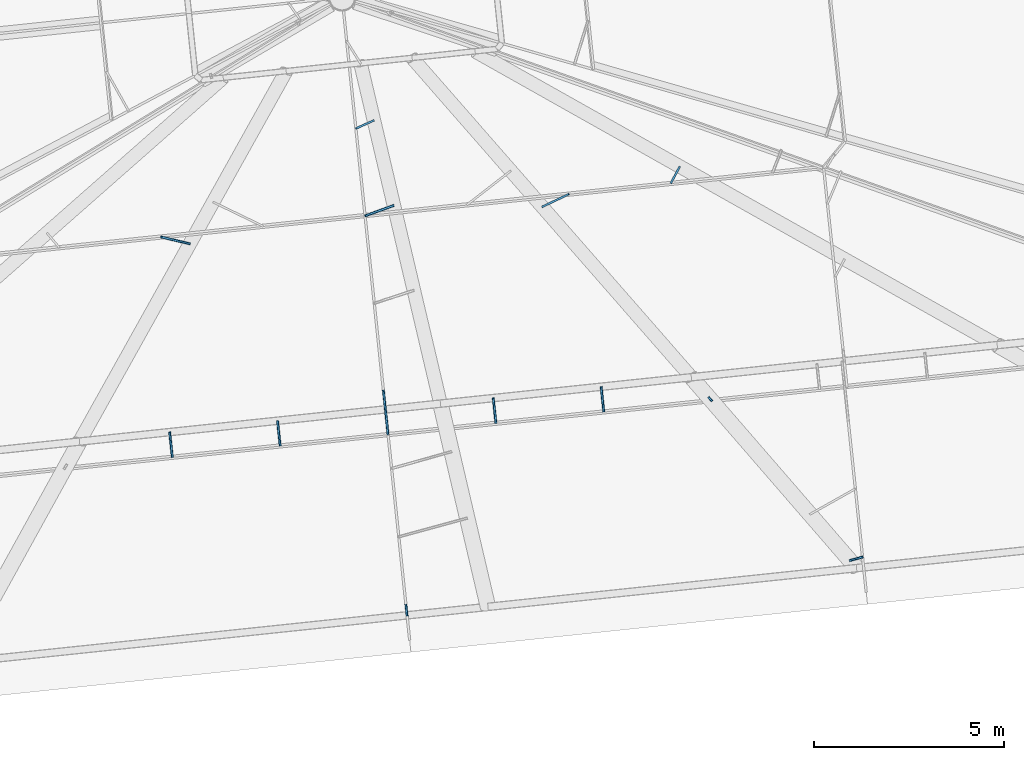
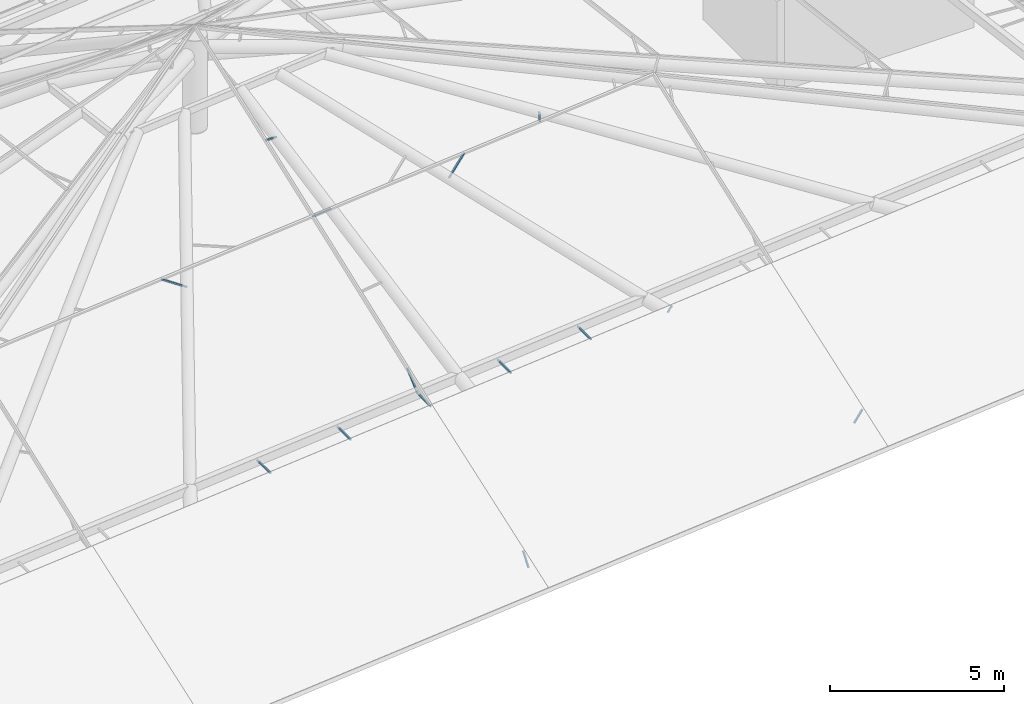
# One storey, part 13 of 20: 14 discrete accessories.
"""IFC4 building model written with IfcOpenShell, lengths in metres."""

from ifc_helpers import new_model, si_unit, direction, frame, origin, origin_2d, place, context, subcontext, project, spatial, rectangle, extrude, material, material_profile, profile_set, type_object, element, save


model = new_model("IFC4")

# Units and contexts
model_context = context("Model", 3, precision=1e-05, world=origin(), true_north=direction((0.0, 1.0)))
body_context = subcontext(model_context, "Body", "Model", "MODEL_VIEW")
ifc_project = project(units=[si_unit("LENGTHUNIT", "METRE"), si_unit("AREAUNIT", "SQUARE_METRE"), si_unit("VOLUMEUNIT", "CUBIC_METRE"), si_unit("PLANEANGLEUNIT", "RADIAN"), si_unit("MASSUNIT", "GRAM", prefix="KILO")], contexts=[model_context])

# Site, building, storey
site_placement = place(None, origin())
site = spatial("IfcSite", under=ifc_project, at=site_placement, CompositionType="ELEMENT")
building_placement = place(site_placement, origin())
building = spatial("IfcBuilding", under=site, at=building_placement, Name="Hakoniwa Tower and Hamabe Station Hall", CompositionType="ELEMENT")
storey_placement = place(building_placement, frame((0.0, 0.0, 285.0)))
storey = spatial("IfcBuildingStorey", under=building, at=storey_placement, Name="Roof", CompositionType="ELEMENT", Elevation=285.0)

# Discrete accessories
ifc_material = material(Name="Stainless steel SUS304", Category="steel")
ifc_material_profile = material_profile(ifc_material, rectangle(XDim=0.050048828125, YDim=0.050048828125, at=origin_2d()), Name="CW-4 GLAZING BRACKET 50X50")
ifc_profile_set = profile_set([ifc_material_profile], Name="Stainless steel SUS304")
discrete_accessory_type = type_object("IfcDiscreteAccessoryType", Name="CW-4 GLAZING BRACKET 50X50", PredefinedType="BRACKET", material=ifc_profile_set)
discrete_accessory_1_placement = place(storey_placement, frame((0.362060546875, -0.944580078125, 7.865478515625), z_axis=(0.865365908469, 0.39184696629, -0.312406465151), x_axis=(-0.412492841343, 0.910960842101, 0.0)))
element("IfcDiscreteAccessory", 1, at=discrete_accessory_1_placement, inside=storey, type_object=discrete_accessory_type, Name="Glazing bracket", PredefinedType="BRACKET", context=body_context, shape_type="SweptSolid", body=[
    extrude(rectangle(XDim=0.050048828125, YDim=0.050048828125, at=origin_2d()), origin(), (0.0, 0.0, 1.0), 0.547119140625),
])
discrete_accessory_2_placement = place(storey_placement, frame((0.603515625, -3.2412109375, 6.51025390625), z_axis=(0.919967499166, 0.337123573888, -0.200018740141), x_axis=(-0.344076650195, 0.938941563033, 0.0)))
element("IfcDiscreteAccessory", 2, at=discrete_accessory_2_placement, inside=storey, type_object=discrete_accessory_type, Name="Glazing bracket", PredefinedType="BRACKET", context=body_context, shape_type="SweptSolid", body=[
    extrude(rectangle(XDim=0.050048828125, YDim=0.050048828125, at=origin_2d()), origin(), (0.0, 0.0, 1.0), 0.82275390625),
])
discrete_accessory_3_placement = place(storey_placement, frame((1.086181640625, -7.833984375, 3.7998046875), z_axis=(0.066296125931, -0.632169693714, -0.771988537503), x_axis=(0.994546006011, 0.10429881077, 0.0)))
element("IfcDiscreteAccessory", 3, at=discrete_accessory_3_placement, inside=storey, type_object=discrete_accessory_type, Name="Glazing bracket", PredefinedType="BRACKET", context=body_context, shape_type="SweptSolid", body=[
    extrude(rectangle(XDim=0.050048828125, YDim=0.050048828125, at=origin_2d()), origin(), (0.0, 0.0, 1.0), 0.777099609375),
])
discrete_accessory_4_placement = place(storey_placement, frame((1.677978515625, -13.4658203125, 0.595458984375), z_axis=(0.054691924927, -0.51887210828, -0.853100538388), x_axis=(0.994490715338, 0.104824697022, 0.0)))
element("IfcDiscreteAccessory", 4, at=discrete_accessory_4_placement, inside=storey, type_object=discrete_accessory_type, Name="Glazing bracket", PredefinedType="BRACKET", context=body_context, shape_type="SweptSolid", body=[
    extrude(rectangle(XDim=0.050048828125, YDim=0.050048828125, at=origin_2d()), origin(), (0.0, 0.0, 1.0), 0.522216796875),
])
discrete_accessory_5_placement = place(storey_placement, frame((13.67529296875, -12.204833984375, 0.595458984375), z_axis=(-0.70186774975, -0.190617957128, -0.686328242375), x_axis=(0.262092772732, -0.965042682207, 0.0)))
element("IfcDiscreteAccessory", 5, at=discrete_accessory_5_placement, inside=storey, type_object=discrete_accessory_type, Name="Glazing bracket", PredefinedType="BRACKET", context=body_context, shape_type="SweptSolid", body=[
    extrude(rectangle(XDim=0.050048828125, YDim=0.050048828125, at=origin_2d()), origin(), (0.0, 0.0, 1.0), 0.471435546875),
])
discrete_accessory_6_placement = place(storey_placement, frame((-4.75244140625, -3.79443359375, 6.5146484375), z_axis=(0.848689075548, -0.203067347075, -0.488354897178), x_axis=(0.232703242011, 0.972547788624, 0.0)))
element("IfcDiscreteAccessory", 6, at=discrete_accessory_6_placement, inside=storey, type_object=discrete_accessory_type, Name="Glazing bracket", PredefinedType="BRACKET", context=body_context, shape_type="SweptSolid", body=[
    extrude(rectangle(XDim=0.050048828125, YDim=0.050048828125, at=origin_2d()), origin(), (0.0, 0.0, 1.0), 0.884765625),
])
discrete_accessory_7_placement = place(storey_placement, frame((5.95751953125, -2.6689453125, 6.5146484375), z_axis=(-0.788195935392, -0.374924142877, -0.488035915194), x_axis=(0.42955319417, -0.903041556839, 0.0)))
element("IfcDiscreteAccessory", 7, at=discrete_accessory_7_placement, inside=storey, type_object=discrete_accessory_type, Name="Glazing bracket", PredefinedType="BRACKET", context=body_context, shape_type="SweptSolid", body=[
    extrude(rectangle(XDim=0.050048828125, YDim=0.050048828125, at=origin_2d()), origin(), (0.0, 0.0, 1.0), 0.885009765625),
])
discrete_accessory_8_placement = place(storey_placement, frame((8.635009765625, -2.387451171875, 6.5146484375), z_axis=(0.470639394256, 0.880100484448, -0.062623460853), x_axis=(-0.881831321067, 0.47156497027, 0.0)))
element("IfcDiscreteAccessory", 8, at=discrete_accessory_8_placement, inside=storey, type_object=discrete_accessory_type, Name="Glazing bracket", PredefinedType="BRACKET", context=body_context, shape_type="SweptSolid", body=[
    extrude(rectangle(XDim=0.050048828125, YDim=0.050048828125, at=origin_2d()), origin(), (0.0, 0.0, 1.0), 0.5068359375),
])
discrete_accessory_9_placement = place(storey_placement, frame((-4.4619140625, -9.582763671875, 3.106689453125), z_axis=(-0.103576467532, 0.984885007061, 0.138828809113), x_axis=(-0.994515502578, -0.104589268721, 0.0)))
element("IfcDiscreteAccessory", 9, at=discrete_accessory_9_placement, inside=storey, type_object=discrete_accessory_type, Name="Glazing bracket", PredefinedType="BRACKET", context=body_context, shape_type="SweptSolid", body=[
    extrude(rectangle(XDim=0.050048828125, YDim=0.050048828125, at=origin_2d()), origin(), (0.0, 0.0, 1.0), 0.671875),
])
for number, where, z_axis, x_axis, name in (
    (10, (-1.62744140625, -9.284912109375, 3.106689453125), (-0.103539407155, 0.984895904549, 0.138779135204), (-0.994519514743, -0.104551110919, 0.0), "Glazing bracket"),
    (11, (1.207275390625, -8.987060546875, 3.106689453125), (-0.103539407155, 0.984895904549, 0.138779135204), (-0.994519514743, -0.104551110919, 0.0), "Glazing bracket"),
):
    element("IfcDiscreteAccessory", number, at=place(storey_placement, frame(where, z_axis=z_axis, x_axis=x_axis)), inside=storey, type_object=discrete_accessory_type, Name=name, PredefinedType="BRACKET", context=body_context, shape_type="SweptSolid", body=[
        extrude(rectangle(XDim=0.050048828125, YDim=0.050048828125, at=origin_2d()), origin(), (0.0, 0.0, 1.0), 0.672119140625),
    ])
discrete_accessory_10_placement = place(storey_placement, frame((4.041748046875, -8.68896484375, 3.106689453125), z_axis=(-0.10321691992, 0.984922017544, 0.138834026089), x_axis=(-0.994553609452, -0.104226282319, 0.0)))
element("IfcDiscreteAccessory", 12, at=discrete_accessory_10_placement, inside=storey, type_object=discrete_accessory_type, Name="Glazing bracket", PredefinedType="BRACKET", context=body_context, shape_type="SweptSolid", body=[
    extrude(rectangle(XDim=0.050048828125, YDim=0.050048828125, at=origin_2d()), origin(), (0.0, 0.0, 1.0), 0.671630859375),
])
discrete_accessory_11_placement = place(storey_placement, frame((6.87646484375, -8.39111328125, 3.106689453125), z_axis=(-0.103539407155, 0.984895904549, 0.138779135204), x_axis=(-0.994519514743, -0.104551110919, 0.0)))
element("IfcDiscreteAccessory", 13, at=discrete_accessory_11_placement, inside=storey, type_object=discrete_accessory_type, Name="Glazing bracket", PredefinedType="BRACKET", context=body_context, shape_type="SweptSolid", body=[
    extrude(rectangle(XDim=0.050048828125, YDim=0.050048828125, at=origin_2d()), origin(), (0.0, 0.0, 1.0), 0.672119140625),
])
discrete_accessory_12_placement = place(storey_placement, frame((9.711181640625, -8.093017578125, 3.106689453125), z_axis=(-0.284316641704, 0.306334428772, -0.908473040326), x_axis=(-0.732956628714, -0.680275371025, 0.0)))
element("IfcDiscreteAccessory", 14, at=discrete_accessory_12_placement, inside=storey, type_object=discrete_accessory_type, Name="Glazing bracket", PredefinedType="BRACKET", context=body_context, shape_type="SweptSolid", body=[
    extrude(rectangle(XDim=0.050048828125, YDim=0.050048828125, at=origin_2d()), origin(), (0.0, 0.0, 1.0), 0.255126953125),
])

save(model, "model.ifc")
